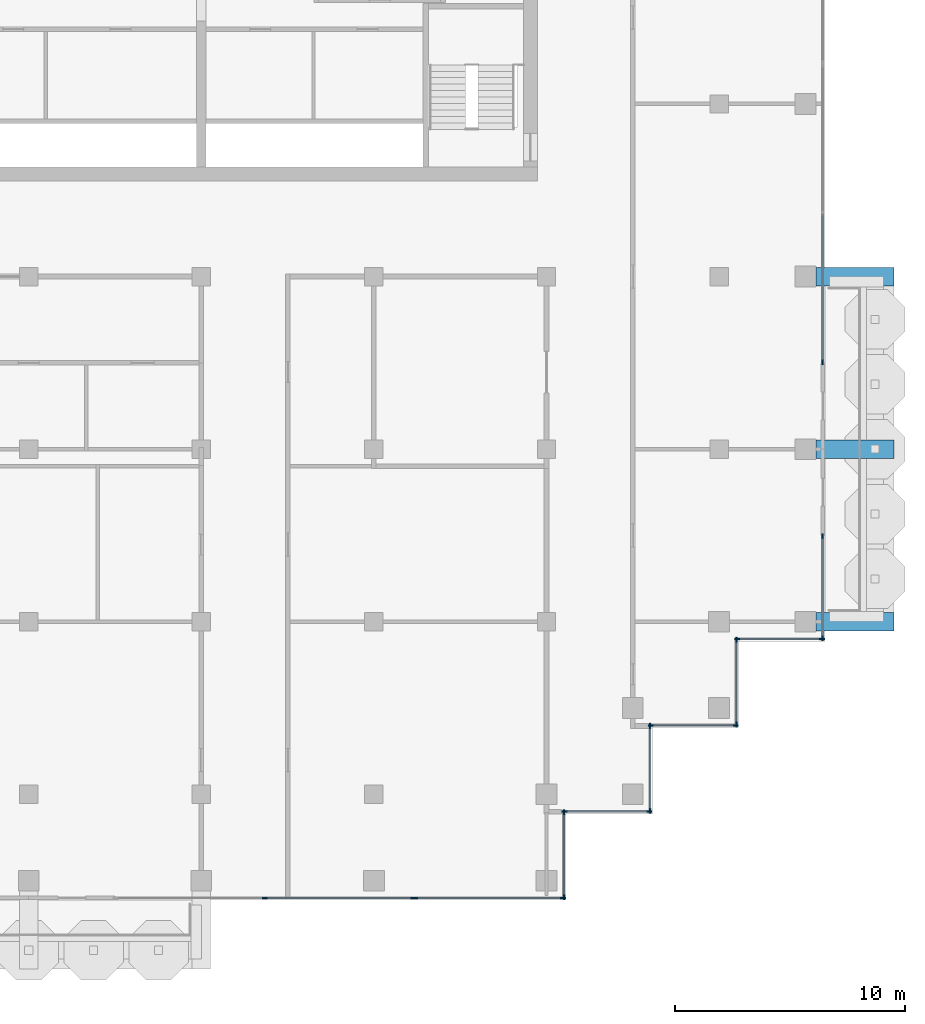
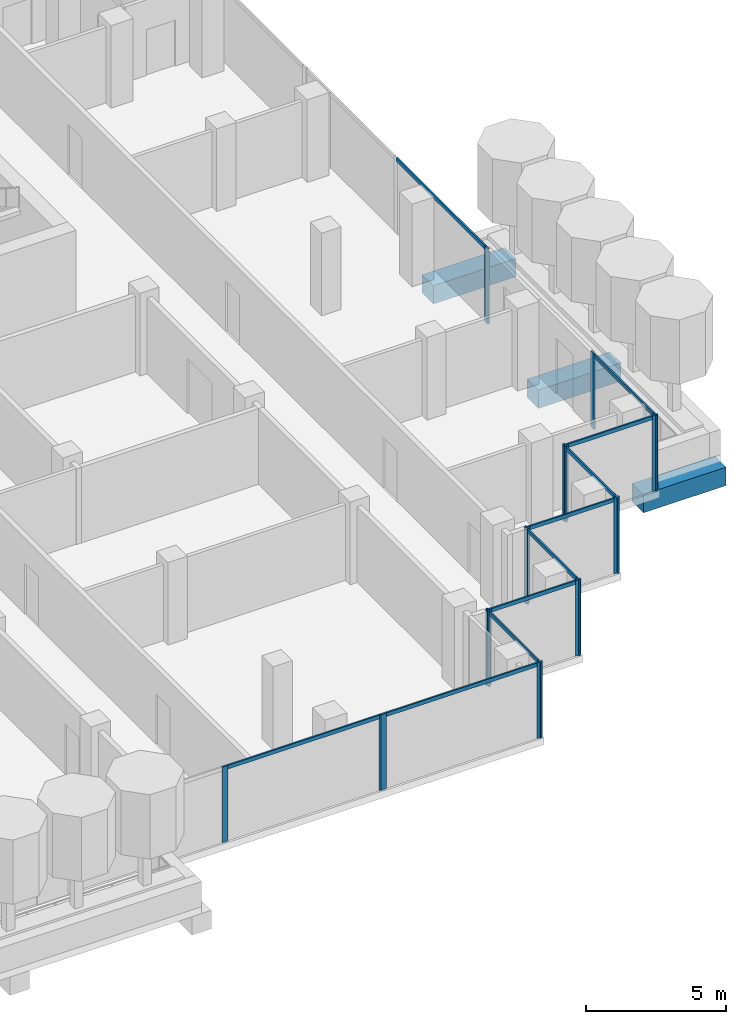
# One storey, part 4 of 18: 29 members, 3 beams, 10 elements without a shape of their own.
"""IFC4 building model written with IfcOpenShell, lengths in metres."""

from ifc_helpers import new_model, si_unit, direction, frame, origin, origin_2d, place, context, subcontext, project, spatial, rectangle, extrude, material, material_profile, profile_set, type_object, element, aggregate, save


model = new_model("IFC4")

# Units and contexts
model_context = context("Model", 3, precision=1e-05, world=origin(), true_north=direction((0.0, 1.0)))
body_context = subcontext(model_context, "Body", "Model", "MODEL_VIEW")
ifc_project = project(units=[si_unit("LENGTHUNIT", "METRE"), si_unit("AREAUNIT", "SQUARE_METRE"), si_unit("VOLUMEUNIT", "CUBIC_METRE"), si_unit("PLANEANGLEUNIT", "RADIAN"), si_unit("MASSUNIT", "GRAM", prefix="KILO")], contexts=[model_context])

# Site, building, storey
site_placement = place(None, origin())
site = spatial("IfcSite", under=ifc_project, at=site_placement, CompositionType="ELEMENT")
building_placement = place(site_placement, origin())
building = spatial("IfcBuilding", under=site, at=building_placement, Name="Pilkhan Gate Tower", CompositionType="ELEMENT")
storey_placement = place(building_placement, frame((0.0, 0.0, 235.5)))
storey = spatial("IfcBuildingStorey", under=building, at=storey_placement, Name="L61", CompositionType="ELEMENT", Elevation=235.5)

# Beams
ifc_material_1 = material(Name="Concrete C50/60", Category="concrete")
ifc_material_profile_1 = material_profile(ifc_material_1, rectangle(XDim=0.800048828125, YDim=0.800048828125, at=origin_2d()), Name="RC 800x800")
ifc_profile_set_1 = profile_set([ifc_material_profile_1], Name="Concrete C50/60")
beam_type = type_object("IfcBeamType", Name="Cantilever beam CB2 RC 800x800 C50/60", PredefinedType="BEAM", material=ifc_profile_set_1)
for number, where, z_axis, x_axis, name in (
    (1, (101.699951171875, 52.5, -0.699951171875), (1.0, 0.0, 0.0), (0.0, 1.0, 0.0), "Balcony beam E.1 L61"),
    (2, (101.699951171875, 60.0, -0.699951171875), (1.0, 0.0, 0.0), (0.0, 1.0, 0.0), "Balcony beam E.2 L61"),
    (3, (101.699951171875, 67.5, -0.699951171875), (1.0, 0.0, 0.0), (0.0, 1.0, 0.0), "Balcony beam E.3 L61"),
):
    element("IfcBeam", number, at=place(storey_placement, frame(where, z_axis=z_axis, x_axis=x_axis)), inside=storey, type_object=beam_type, Name=name, PredefinedType="BEAM", context=body_context, shape_type="SweptSolid", body=[
        extrude(rectangle(XDim=0.800048828125, YDim=0.800048828125, at=origin_2d()), origin(), (0.0, 0.0, 1.0), 3.400146484375),
    ])

# Curtain wall, members
ifc_material_2 = material(Name="Pale anodised aluminium, clear low-iron double glazing", Category="aluminium")
curtain_wall_type = type_object("IfcCurtainWallType", Name="Office unitised curtain wall CW-O2", PredefinedType="USERDEFINED", material=ifc_material_2)
curtain_wall_1_placement = place(storey_placement, origin())
curtain_wall_1 = element("IfcCurtainWall", 4, at=curtain_wall_1_placement, inside=storey, type_object=curtain_wall_type, Name="Office unitised curtain wall CW-O2 L61 E", ObjectType="UNITISED CURTAIN WALL", PredefinedType="USERDEFINED")
ifc_material_3 = material(Name="Pale anodised aluminium", Category="aluminium")
ifc_material_profile_2 = material_profile(ifc_material_3, rectangle(XDim=0.06494140625, YDim=0.22509765625, at=origin_2d()), Name="Mullion 225x65")
ifc_profile_set_2 = profile_set([ifc_material_profile_2], Name="Pale anodised aluminium")
member_type_1 = type_object("IfcMemberType", Name="Mullion CW-O2 225x65", PredefinedType="MULLION", material=ifc_profile_set_2)
member_1_placement = place(storey_placement, frame((102.0, 51.782470703125, 0.0), z_axis=(0.0, 0.0, 1.0), x_axis=(-1.0, 0.0, 0.0)))
member_1 = element("IfcMember", 5, at=member_1_placement, type_object=member_type_1, Name="CW-O2 mullion 1", PredefinedType="MULLION", context=body_context, shape_type="SweptSolid", body=[
    extrude(rectangle(XDim=0.06494140625, YDim=0.22509765625, at=origin_2d()), origin(), (0.0, 0.0, 1.0), 3.300048828125),
])
member_2_placement = place(storey_placement, frame((102.0, 56.217529296875, 0.0), z_axis=(0.0, 0.0, 1.0), x_axis=(-1.0, 0.0, 0.0)))
member_2 = element("IfcMember", 6, at=member_2_placement, type_object=member_type_1, Name="CW-O2 mullion 2", PredefinedType="MULLION", context=body_context, shape_type="SweptSolid", body=[
    extrude(rectangle(XDim=0.06494140625, YDim=0.22509765625, at=origin_2d()), origin(), (0.0, 0.0, 1.0), 3.300048828125),
])

# Curtain wall, member
curtain_wall_2_placement = place(storey_placement, origin())
curtain_wall_2 = element("IfcCurtainWall", 7, at=curtain_wall_2_placement, inside=storey, type_object=curtain_wall_type, Name="Office unitised curtain wall CW-O2 L61 E", ObjectType="UNITISED CURTAIN WALL", PredefinedType="USERDEFINED")
member_3_placement = place(storey_placement, frame((102.0, 63.782470703125, 0.0), z_axis=(0.0, 0.0, 1.0), x_axis=(-1.0, 0.0, 0.0)))
member_3 = element("IfcMember", 8, at=member_3_placement, type_object=member_type_1, Name="CW-O2 mullion 1", PredefinedType="MULLION", context=body_context, shape_type="SweptSolid", body=[
    extrude(rectangle(XDim=0.06494140625, YDim=0.22509765625, at=origin_2d()), origin(), (0.0, 0.0, 1.0), 3.300048828125),
])

# Curtain wall, members
curtain_wall_3_placement = place(storey_placement, origin())
curtain_wall_3 = element("IfcCurtainWall", 9, at=curtain_wall_3_placement, inside=storey, type_object=curtain_wall_type, Name="Office unitised curtain wall CW-O2 L61 S", ObjectType="UNITISED CURTAIN WALL", PredefinedType="USERDEFINED")
member_4_placement = place(storey_placement, frame((77.75, 40.5, 0.0), z_axis=(0.0, 0.0, 1.0), x_axis=(0.0, 1.0, 0.0)))
member_4 = element("IfcMember", 10, at=member_4_placement, type_object=member_type_1, Name="CW-O2 mullion 2", PredefinedType="MULLION", context=body_context, shape_type="SweptSolid", body=[
    extrude(rectangle(XDim=0.06494140625, YDim=0.22509765625, at=origin_2d()), origin(), (0.0, 0.0, 1.0), 3.300048828125),
])
member_5_placement = place(storey_placement, frame((84.217529296875, 40.5, 0.0), z_axis=(0.0, 0.0, 1.0), x_axis=(0.0, 1.0, 0.0)))
member_5 = element("IfcMember", 11, at=member_5_placement, type_object=member_type_1, Name="CW-O2 mullion 3", PredefinedType="MULLION", context=body_context, shape_type="SweptSolid", body=[
    extrude(rectangle(XDim=0.06494140625, YDim=0.22509765625, at=origin_2d()), origin(), (0.0, 0.0, 1.0), 3.300048828125),
])

curtain_wall_4_placement = place(storey_placement, origin())
curtain_wall_4 = element("IfcCurtainWall", 12, at=curtain_wall_4_placement, inside=storey, type_object=curtain_wall_type, Name="Office unitised curtain wall CW-O2 L61 S", ObjectType="UNITISED CURTAIN WALL", PredefinedType="USERDEFINED")
member_6_placement = place(storey_placement, frame((84.282470703125, 40.5, 0.0), z_axis=(0.0, 0.0, 1.0), x_axis=(0.0, 1.0, 0.0)))
member_6 = element("IfcMember", 13, at=member_6_placement, type_object=member_type_1, Name="CW-O2 mullion 1", PredefinedType="MULLION", context=body_context, shape_type="SweptSolid", body=[
    extrude(rectangle(XDim=0.06494140625, YDim=0.22509765625, at=origin_2d()), origin(), (0.0, 0.0, 1.0), 3.300048828125),
])
member_7_placement = place(storey_placement, frame((90.717529296875, 40.5, 0.0), z_axis=(0.0, 0.0, 1.0), x_axis=(0.0, 1.0, 0.0)))
member_7 = element("IfcMember", 14, at=member_7_placement, type_object=member_type_1, Name="CW-O2 mullion 2", PredefinedType="MULLION", context=body_context, shape_type="SweptSolid", body=[
    extrude(rectangle(XDim=0.06494140625, YDim=0.22509765625, at=origin_2d()), origin(), (0.0, 0.0, 1.0), 3.300048828125),
])

curtain_wall_5_placement = place(storey_placement, origin())
curtain_wall_5 = element("IfcCurtainWall", 15, at=curtain_wall_5_placement, inside=storey, type_object=curtain_wall_type, Name="Office unitised curtain wall CW-O2 L61 E", ObjectType="UNITISED CURTAIN WALL", PredefinedType="USERDEFINED")
member_8_placement = place(storey_placement, frame((90.75, 40.532470703125, 0.0), z_axis=(0.0, 0.0, 1.0), x_axis=(-1.0, 0.0, 0.0)))
member_8 = element("IfcMember", 16, at=member_8_placement, type_object=member_type_1, Name="CW-O2 mullion 1", PredefinedType="MULLION", context=body_context, shape_type="SweptSolid", body=[
    extrude(rectangle(XDim=0.06494140625, YDim=0.22509765625, at=origin_2d()), origin(), (0.0, 0.0, 1.0), 3.300048828125),
])
member_9_placement = place(storey_placement, frame((90.75, 44.217529296875, 0.0), z_axis=(0.0, 0.0, 1.0), x_axis=(-1.0, 0.0, 0.0)))
member_9 = element("IfcMember", 17, at=member_9_placement, type_object=member_type_1, Name="CW-O2 mullion 2", PredefinedType="MULLION", context=body_context, shape_type="SweptSolid", body=[
    extrude(rectangle(XDim=0.06494140625, YDim=0.22509765625, at=origin_2d()), origin(), (0.0, 0.0, 1.0), 3.300048828125),
])

curtain_wall_6_placement = place(storey_placement, origin())
curtain_wall_6 = element("IfcCurtainWall", 18, at=curtain_wall_6_placement, inside=storey, type_object=curtain_wall_type, Name="Office unitised curtain wall CW-O2 L61 S", ObjectType="UNITISED CURTAIN WALL", PredefinedType="USERDEFINED")
member_10_placement = place(storey_placement, frame((90.782470703125, 44.25, 0.0), z_axis=(0.0, 0.0, 1.0), x_axis=(0.0, 1.0, 0.0)))
member_10 = element("IfcMember", 19, at=member_10_placement, type_object=member_type_1, Name="CW-O2 mullion 1", PredefinedType="MULLION", context=body_context, shape_type="SweptSolid", body=[
    extrude(rectangle(XDim=0.06494140625, YDim=0.22509765625, at=origin_2d()), origin(), (0.0, 0.0, 1.0), 3.300048828125),
])
member_11_placement = place(storey_placement, frame((94.467529296875, 44.25, 0.0), z_axis=(0.0, 0.0, 1.0), x_axis=(0.0, 1.0, 0.0)))
member_11 = element("IfcMember", 20, at=member_11_placement, type_object=member_type_1, Name="CW-O2 mullion 2", PredefinedType="MULLION", context=body_context, shape_type="SweptSolid", body=[
    extrude(rectangle(XDim=0.06494140625, YDim=0.22509765625, at=origin_2d()), origin(), (0.0, 0.0, 1.0), 3.300048828125),
])

curtain_wall_7_placement = place(storey_placement, origin())
curtain_wall_7 = element("IfcCurtainWall", 21, at=curtain_wall_7_placement, inside=storey, type_object=curtain_wall_type, Name="Office unitised curtain wall CW-O2 L61 E", ObjectType="UNITISED CURTAIN WALL", PredefinedType="USERDEFINED")
member_12_placement = place(storey_placement, frame((94.5, 44.282470703125, 0.0), z_axis=(0.0, 0.0, 1.0), x_axis=(-1.0, 0.0, 0.0)))
member_12 = element("IfcMember", 22, at=member_12_placement, type_object=member_type_1, Name="CW-O2 mullion 1", PredefinedType="MULLION", context=body_context, shape_type="SweptSolid", body=[
    extrude(rectangle(XDim=0.06494140625, YDim=0.22509765625, at=origin_2d()), origin(), (0.0, 0.0, 1.0), 3.300048828125),
])
member_13_placement = place(storey_placement, frame((94.5, 47.967529296875, 0.0), z_axis=(0.0, 0.0, 1.0), x_axis=(-1.0, 0.0, 0.0)))
member_13 = element("IfcMember", 23, at=member_13_placement, type_object=member_type_1, Name="CW-O2 mullion 2", PredefinedType="MULLION", context=body_context, shape_type="SweptSolid", body=[
    extrude(rectangle(XDim=0.06494140625, YDim=0.22509765625, at=origin_2d()), origin(), (0.0, 0.0, 1.0), 3.300048828125),
])

curtain_wall_8_placement = place(storey_placement, origin())
curtain_wall_8 = element("IfcCurtainWall", 24, at=curtain_wall_8_placement, inside=storey, type_object=curtain_wall_type, Name="Office unitised curtain wall CW-O2 L61 S", ObjectType="UNITISED CURTAIN WALL", PredefinedType="USERDEFINED")
member_14_placement = place(storey_placement, frame((94.532470703125, 48.0, 0.0), z_axis=(0.0, 0.0, 1.0), x_axis=(0.0, 1.0, 0.0)))
member_14 = element("IfcMember", 25, at=member_14_placement, type_object=member_type_1, Name="CW-O2 mullion 1", PredefinedType="MULLION", context=body_context, shape_type="SweptSolid", body=[
    extrude(rectangle(XDim=0.06494140625, YDim=0.22509765625, at=origin_2d()), origin(), (0.0, 0.0, 1.0), 3.300048828125),
])
member_15_placement = place(storey_placement, frame((98.217529296875, 48.0, 0.0), z_axis=(0.0, 0.0, 1.0), x_axis=(0.0, 1.0, 0.0)))
member_15 = element("IfcMember", 26, at=member_15_placement, type_object=member_type_1, Name="CW-O2 mullion 2", PredefinedType="MULLION", context=body_context, shape_type="SweptSolid", body=[
    extrude(rectangle(XDim=0.06494140625, YDim=0.22509765625, at=origin_2d()), origin(), (0.0, 0.0, 1.0), 3.300048828125),
])

curtain_wall_9_placement = place(storey_placement, origin())
curtain_wall_9 = element("IfcCurtainWall", 27, at=curtain_wall_9_placement, inside=storey, type_object=curtain_wall_type, Name="Office unitised curtain wall CW-O2 L61 E", ObjectType="UNITISED CURTAIN WALL", PredefinedType="USERDEFINED")
member_16_placement = place(storey_placement, frame((98.25, 48.032470703125, 0.0), z_axis=(0.0, 0.0, 1.0), x_axis=(-1.0, 0.0, 0.0)))
member_16 = element("IfcMember", 28, at=member_16_placement, type_object=member_type_1, Name="CW-O2 mullion 1", PredefinedType="MULLION", context=body_context, shape_type="SweptSolid", body=[
    extrude(rectangle(XDim=0.06494140625, YDim=0.22509765625, at=origin_2d()), origin(), (0.0, 0.0, 1.0), 3.300048828125),
])
member_17_placement = place(storey_placement, frame((98.25, 51.717529296875, 0.0), z_axis=(0.0, 0.0, 1.0), x_axis=(-1.0, 0.0, 0.0)))
member_17 = element("IfcMember", 29, at=member_17_placement, type_object=member_type_1, Name="CW-O2 mullion 2", PredefinedType="MULLION", context=body_context, shape_type="SweptSolid", body=[
    extrude(rectangle(XDim=0.06494140625, YDim=0.22509765625, at=origin_2d()), origin(), (0.0, 0.0, 1.0), 3.300048828125),
])

curtain_wall_10_placement = place(storey_placement, origin())
curtain_wall_10 = element("IfcCurtainWall", 30, at=curtain_wall_10_placement, inside=storey, type_object=curtain_wall_type, Name="Office unitised curtain wall CW-O2 L61 S", ObjectType="UNITISED CURTAIN WALL", PredefinedType="USERDEFINED")
member_18_placement = place(storey_placement, frame((98.282470703125, 51.75, 0.0), z_axis=(0.0, 0.0, 1.0), x_axis=(0.0, 1.0, 0.0)))
member_18 = element("IfcMember", 31, at=member_18_placement, type_object=member_type_1, Name="CW-O2 mullion 1", PredefinedType="MULLION", context=body_context, shape_type="SweptSolid", body=[
    extrude(rectangle(XDim=0.06494140625, YDim=0.22509765625, at=origin_2d()), origin(), (0.0, 0.0, 1.0), 3.300048828125),
])
member_19_placement = place(storey_placement, frame((101.967529296875, 51.75, 0.0), z_axis=(0.0, 0.0, 1.0), x_axis=(0.0, 1.0, 0.0)))
member_19 = element("IfcMember", 32, at=member_19_placement, type_object=member_type_1, Name="CW-O2 mullion 2", PredefinedType="MULLION", context=body_context, shape_type="SweptSolid", body=[
    extrude(rectangle(XDim=0.06494140625, YDim=0.22509765625, at=origin_2d()), origin(), (0.0, 0.0, 1.0), 3.300048828125),
])

# Member
ifc_material_profile_3 = material_profile(ifc_material_3, rectangle(XDim=0.06494140625, YDim=0.1650390625, at=origin_2d()), Name="Transom 165x65")
ifc_profile_set_3 = profile_set([ifc_material_profile_3], Name="Pale anodised aluminium")
member_type_2 = type_object("IfcMemberType", Name="Transom CW-O2 165x65", PredefinedType="USERDEFINED", material=ifc_profile_set_3)
member_20_placement = place(storey_placement, frame((102.0, 51.81494140625, 3.217529296875), z_axis=(0.0, 1.0, 0.0), x_axis=(-1.0, 0.0, 0.0)))
member_20 = element("IfcMember", 33, at=member_20_placement, type_object=member_type_2, Name="CW-O2 transom 1", ObjectType="TRANSOM", PredefinedType="USERDEFINED", context=body_context, shape_type="SweptSolid", body=[
    extrude(rectangle(XDim=0.06494140625, YDim=0.1650390625, at=origin_2d()), origin(), (0.0, 0.0, 1.0), 4.3701171875),
])

aggregate(curtain_wall_1, [member_1, member_2, member_20])

member_21_placement = place(storey_placement, frame((102.0, 63.81494140625, 3.217529296875), z_axis=(0.0, 1.0, 0.0), x_axis=(-1.0, 0.0, 0.0)))
member_21 = element("IfcMember", 34, at=member_21_placement, type_object=member_type_2, Name="CW-O2 transom 1", ObjectType="TRANSOM", PredefinedType="USERDEFINED", context=body_context, shape_type="SweptSolid", body=[
    extrude(rectangle(XDim=0.06494140625, YDim=0.1650390625, at=origin_2d()), origin(), (0.0, 0.0, 1.0), 6.402587890625),
])

aggregate(curtain_wall_2, [member_3, member_21])

member_22_placement = place(storey_placement, frame((77.782470703125, 40.5, 3.217529296875), z_axis=(1.0, 0.0, 0.0), x_axis=(0.0, 1.0, 0.0)))
member_22 = element("IfcMember", 35, at=member_22_placement, type_object=member_type_2, Name="CW-O2 transom 2", ObjectType="TRANSOM", PredefinedType="USERDEFINED", context=body_context, shape_type="SweptSolid", body=[
    extrude(rectangle(XDim=0.06494140625, YDim=0.1650390625, at=origin_2d()), origin(), (0.0, 0.0, 1.0), 6.402587890625),
])

aggregate(curtain_wall_3, [member_4, member_5, member_22])

member_23_placement = place(storey_placement, frame((84.31494140625, 40.5, 3.217529296875), z_axis=(1.0, 0.0, 0.0), x_axis=(0.0, 1.0, 0.0)))
member_23 = element("IfcMember", 36, at=member_23_placement, type_object=member_type_2, Name="CW-O2 transom 1", ObjectType="TRANSOM", PredefinedType="USERDEFINED", context=body_context, shape_type="SweptSolid", body=[
    extrude(rectangle(XDim=0.06494140625, YDim=0.1650390625, at=origin_2d()), origin(), (0.0, 0.0, 1.0), 6.3701171875),
])

aggregate(curtain_wall_4, [member_6, member_7, member_23])

member_24_placement = place(storey_placement, frame((90.75, 40.56494140625, 3.217529296875), z_axis=(0.0, 1.0, 0.0), x_axis=(-1.0, 0.0, 0.0)))
member_24 = element("IfcMember", 37, at=member_24_placement, type_object=member_type_2, Name="CW-O2 transom 1", ObjectType="TRANSOM", PredefinedType="USERDEFINED", context=body_context, shape_type="SweptSolid", body=[
    extrude(rectangle(XDim=0.06494140625, YDim=0.1650390625, at=origin_2d()), origin(), (0.0, 0.0, 1.0), 3.6201171875),
])

aggregate(curtain_wall_5, [member_8, member_9, member_24])

member_25_placement = place(storey_placement, frame((90.81494140625, 44.25, 3.217529296875), z_axis=(1.0, 0.0, 0.0), x_axis=(0.0, 1.0, 0.0)))
member_25 = element("IfcMember", 38, at=member_25_placement, type_object=member_type_2, Name="CW-O2 transom 1", ObjectType="TRANSOM", PredefinedType="USERDEFINED", context=body_context, shape_type="SweptSolid", body=[
    extrude(rectangle(XDim=0.06494140625, YDim=0.1650390625, at=origin_2d()), origin(), (0.0, 0.0, 1.0), 3.6201171875),
])

aggregate(curtain_wall_6, [member_10, member_11, member_25])

member_26_placement = place(storey_placement, frame((94.5, 44.31494140625, 3.217529296875), z_axis=(0.0, 1.0, 0.0), x_axis=(-1.0, 0.0, 0.0)))
member_26 = element("IfcMember", 39, at=member_26_placement, type_object=member_type_2, Name="CW-O2 transom 1", ObjectType="TRANSOM", PredefinedType="USERDEFINED", context=body_context, shape_type="SweptSolid", body=[
    extrude(rectangle(XDim=0.06494140625, YDim=0.1650390625, at=origin_2d()), origin(), (0.0, 0.0, 1.0), 3.6201171875),
])

aggregate(curtain_wall_7, [member_12, member_13, member_26])

member_27_placement = place(storey_placement, frame((94.56494140625, 48.0, 3.217529296875), z_axis=(1.0, 0.0, 0.0), x_axis=(0.0, 1.0, 0.0)))
member_27 = element("IfcMember", 40, at=member_27_placement, type_object=member_type_2, Name="CW-O2 transom 1", ObjectType="TRANSOM", PredefinedType="USERDEFINED", context=body_context, shape_type="SweptSolid", body=[
    extrude(rectangle(XDim=0.06494140625, YDim=0.1650390625, at=origin_2d()), origin(), (0.0, 0.0, 1.0), 3.6201171875),
])

aggregate(curtain_wall_8, [member_14, member_15, member_27])

member_28_placement = place(storey_placement, frame((98.25, 48.06494140625, 3.217529296875), z_axis=(0.0, 1.0, 0.0), x_axis=(-1.0, 0.0, 0.0)))
member_28 = element("IfcMember", 41, at=member_28_placement, type_object=member_type_2, Name="CW-O2 transom 1", ObjectType="TRANSOM", PredefinedType="USERDEFINED", context=body_context, shape_type="SweptSolid", body=[
    extrude(rectangle(XDim=0.06494140625, YDim=0.1650390625, at=origin_2d()), origin(), (0.0, 0.0, 1.0), 3.6201171875),
])

aggregate(curtain_wall_9, [member_16, member_17, member_28])

member_29_placement = place(storey_placement, frame((98.31494140625, 51.75, 3.217529296875), z_axis=(1.0, 0.0, 0.0), x_axis=(0.0, 1.0, 0.0)))
member_29 = element("IfcMember", 42, at=member_29_placement, type_object=member_type_2, Name="CW-O2 transom 1", ObjectType="TRANSOM", PredefinedType="USERDEFINED", context=body_context, shape_type="SweptSolid", body=[
    extrude(rectangle(XDim=0.06494140625, YDim=0.1650390625, at=origin_2d()), origin(), (0.0, 0.0, 1.0), 3.6201171875),
])

aggregate(curtain_wall_10, [member_18, member_19, member_29])

save(model, "model.ifc")
